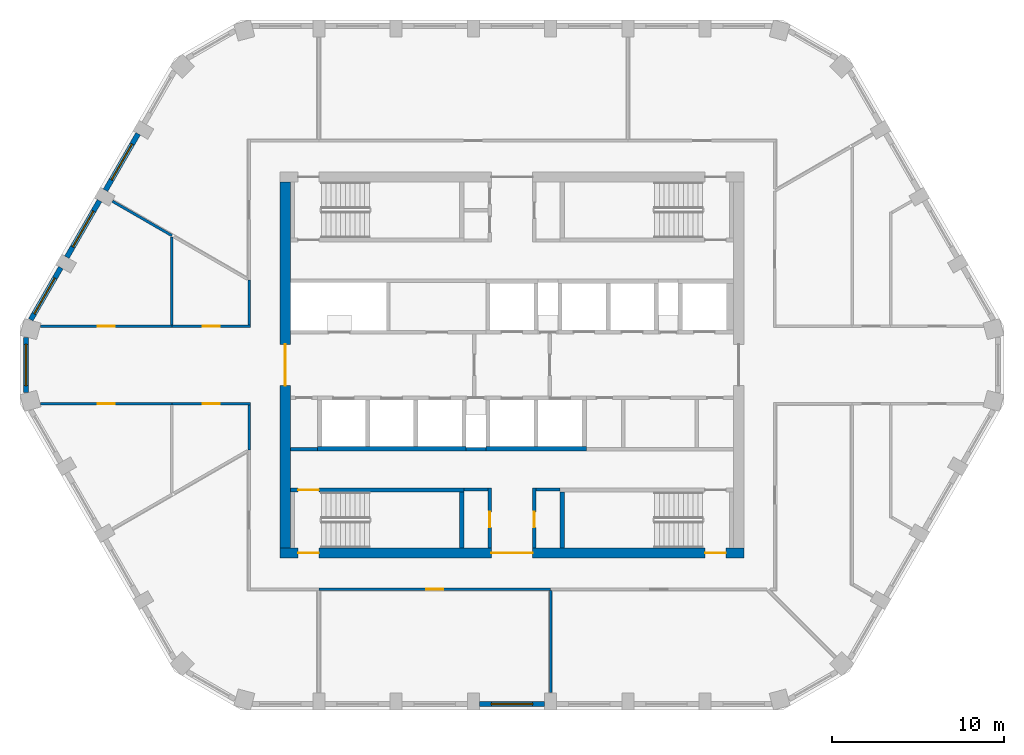
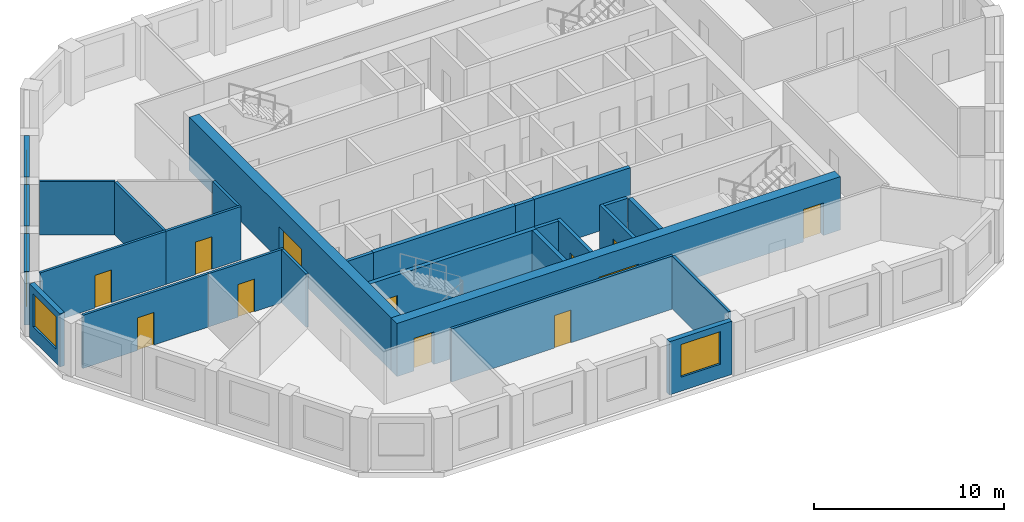
# One storey, part 2 of 11: 28 walls, 12 doors, 5 windows, 17 openings.
"""IFC4 building model written with IfcOpenShell, lengths in metres."""

from ifc_helpers import new_model, si_unit, direction, frame, frame_2d, origin, place, context, subcontext, project, spatial, polyline, rectangle, outline, extrude, material, layer, layer_set, type_object, element, fill, save


model = new_model("IFC4")

# Units and contexts
model_context = context("Model", 3, precision=1e-05, world=origin(), true_north=direction((0.0, 1.0)))
body_context = subcontext(model_context, "Body", "Model", "MODEL_VIEW")
ifc_project = project(units=[si_unit("LENGTHUNIT", "METRE"), si_unit("AREAUNIT", "SQUARE_METRE"), si_unit("VOLUMEUNIT", "CUBIC_METRE"), si_unit("PLANEANGLEUNIT", "RADIAN"), si_unit("MASSUNIT", "GRAM", prefix="KILO")], contexts=[model_context])

# Site, building, storey
site_placement = place(None, origin())
site = spatial("IfcSite", under=ifc_project, at=site_placement, CompositionType="ELEMENT")
building_placement = place(site_placement, origin())
building = spatial("IfcBuilding", under=site, at=building_placement, Name="Dhurran Vertical Campus", CompositionType="ELEMENT")
storey_placement = place(building_placement, frame((0.0, 0.0, 278.10009765625)))
storey = spatial("IfcBuildingStorey", under=building, at=storey_placement, Name="L69", CompositionType="ELEMENT", Elevation=278.10009765625)

# Wall, opening, window
ifc_material_1 = material(Name="Precast concrete C50/60", Category="concrete")
ifc_layer_1 = layer(ifc_material_1, 0.300048828125)
ifc_layer_set_1 = layer_set([ifc_layer_1], Name="Precast concrete C50/60")
wall_type_1 = type_object("IfcWallType", Name="Precast spandrel wall 300", PredefinedType="SOLIDWALL", material=ifc_layer_set_1)
wall_1_placement = place(storey_placement, frame((-1.8994140625, -19.738525390625, 0.0), z_axis=(0.0, 0.0, 1.0), x_axis=(1.0, 0.0, 0.0)))
wall_1 = element("IfcWall", 1, at=wall_1_placement, inside=storey, type_object=wall_type_1, Name="EW1 L69.03", PredefinedType="SOLIDWALL", context=body_context, shape_type="SweptSolid", body=[
    extrude(rectangle(XDim=3.798828125, YDim=0.300048828125, at=frame_2d((1.8994140625, 0.0))), origin(), (0.0, 0.0, 1.0), 3.4248046875),
])
opening_1_placement = place(wall_1_placement, frame((0.699462890625, 0.0, 0.89990234375)))
opening_1 = element("IfcOpeningElement", 2, at=opening_1_placement, cuts=wall_1, Name="Opening WT1", PredefinedType="OPENING", context=body_context, shape_type="SweptSolid", body=[
    extrude(rectangle(XDim=2.39990234375, YDim=2.10009765625, at=frame_2d((1.199951171875, 1.050048828125))), frame((0.0, 0.159912109375, 0.0), z_axis=(0.0, -1.0, 0.0), x_axis=(1.0, 0.0, 0.0)), (0.0, 0.0, 1.0), 0.320068359375),
])
ifc_material_2 = material(Name="Aluminium frame with solar-control glass", Category="aluminium")
window_type = type_object("IfcWindowType", Name="Punched window 2400 x 2100", PartitioningType="SINGLE_PANEL", PredefinedType="WINDOW", material=ifc_material_2)
window_1_placement = place(opening_1_placement, origin())
window_1 = element("IfcWindow", 3, at=window_1_placement, inside=storey, type_object=window_type, Name="WT1 L69.03", OverallHeight=2.10009765625, OverallWidth=2.39990234375, PartitioningType="SINGLE_PANEL", PredefinedType="WINDOW", context=body_context, shape_type="SweptSolid", body=[
    extrude(rectangle(XDim=2.39990234375, YDim=2.10009765625, at=frame_2d((1.199951171875, 1.050048828125))), frame((0.0, 0.030029296875, 0.0), z_axis=(0.0, -1.0, 0.0), x_axis=(1.0, 0.0, 0.0)), (0.0, 0.0, 1.0), 0.06005859375),
])
fill(opening_1, window_1)

wall_2_placement = place(storey_placement, frame((-21.769287109375, 13.462890625, 0.0), z_axis=(0.0, 0.0, 1.0), x_axis=(-0.499982058975, -0.866035761792, 0.0)))
wall_2 = element("IfcWall", 4, at=wall_2_placement, inside=storey, type_object=wall_type_1, Name="EW1 L69.27", PredefinedType="SOLIDWALL", context=body_context, shape_type="SweptSolid", body=[
    extrude(rectangle(XDim=3.799072265625, YDim=0.300048828125, at=frame_2d((1.8994140625, 0.0))), origin(), (0.0, 0.0, 1.0), 3.4248046875),
])
opening_2_placement = place(wall_2_placement, frame((0.699462890625, 0.0, 0.89990234375)))
opening_2 = element("IfcOpeningElement", 5, at=opening_2_placement, cuts=wall_2, Name="Opening WT1", PredefinedType="OPENING", context=body_context, shape_type="SweptSolid", body=[
    extrude(rectangle(XDim=2.39990234375, YDim=2.10009765625, at=frame_2d((1.199951171875, 1.050048828125))), frame((0.0, 0.159912109375, 0.0), z_axis=(0.0, -1.0, 0.0), x_axis=(1.0, 0.0, 0.0)), (0.0, 0.0, 1.0), 0.320068359375),
])
window_2_placement = place(opening_2_placement, origin())
window_2 = element("IfcWindow", 6, at=window_2_placement, inside=storey, type_object=window_type, Name="WT1 L69.27", OverallHeight=2.10009765625, OverallWidth=2.39990234375, PartitioningType="SINGLE_PANEL", PredefinedType="WINDOW", context=body_context, shape_type="SweptSolid", body=[
    extrude(rectangle(XDim=2.39990234375, YDim=2.10009765625, at=frame_2d((1.199951171875, 1.050048828125))), frame((0.0, 0.030029296875, 0.0), z_axis=(0.0, -1.0, 0.0), x_axis=(1.0, 0.0, 0.0)), (0.0, 0.0, 1.0), 0.06005859375),
])
fill(opening_2, window_2)

wall_3_placement = place(storey_placement, frame((-24.019287109375, 9.565673828125, 0.0), z_axis=(0.0, 0.0, 1.0), x_axis=(-0.499982058975, -0.866035761792, 0.0)))
wall_3 = element("IfcWall", 7, at=wall_3_placement, inside=storey, type_object=wall_type_1, Name="EW1 L69.28", PredefinedType="SOLIDWALL", context=body_context, shape_type="SweptSolid", body=[
    extrude(rectangle(XDim=3.799072265625, YDim=0.300048828125, at=frame_2d((1.8994140625, 0.0))), origin(), (0.0, 0.0, 1.0), 3.4248046875),
])
opening_3_placement = place(wall_3_placement, frame((0.699462890625, 0.0, 0.89990234375)))
opening_3 = element("IfcOpeningElement", 8, at=opening_3_placement, cuts=wall_3, Name="Opening WT1", PredefinedType="OPENING", context=body_context, shape_type="SweptSolid", body=[
    extrude(rectangle(XDim=2.39990234375, YDim=2.10009765625, at=frame_2d((1.199951171875, 1.050048828125))), frame((0.0, 0.159912109375, 0.0), z_axis=(0.0, -1.0, 0.0), x_axis=(1.0, 0.0, 0.0)), (0.0, 0.0, 1.0), 0.320068359375),
])
window_3_placement = place(opening_3_placement, origin())
window_3 = element("IfcWindow", 9, at=window_3_placement, inside=storey, type_object=window_type, Name="WT1 L69.28", OverallHeight=2.10009765625, OverallWidth=2.39990234375, PartitioningType="SINGLE_PANEL", PredefinedType="WINDOW", context=body_context, shape_type="SweptSolid", body=[
    extrude(rectangle(XDim=2.39990234375, YDim=2.10009765625, at=frame_2d((1.199951171875, 1.050048828125))), frame((0.0, 0.030029296875, 0.0), z_axis=(0.0, -1.0, 0.0), x_axis=(1.0, 0.0, 0.0)), (0.0, 0.0, 1.0), 0.06005859375),
])
fill(opening_3, window_3)

wall_4_placement = place(storey_placement, frame((-26.269287109375, 5.668701171875, 0.0), z_axis=(0.0, 0.0, 1.0), x_axis=(-0.499990325971, -0.866030989016, 0.0)))
wall_4 = element("IfcWall", 10, at=wall_4_placement, inside=storey, type_object=wall_type_1, Name="EW1 L69.29", PredefinedType="SOLIDWALL", context=body_context, shape_type="SweptSolid", body=[
    extrude(rectangle(XDim=3.49755859375, YDim=0.300048828125, at=frame_2d((1.748779296875, 0.0))), origin(), (0.0, 0.0, 1.0), 3.4248046875),
])
opening_4_placement = place(wall_4_placement, frame((0.699462890625, 0.0, 0.89990234375)))
opening_4 = element("IfcOpeningElement", 11, at=opening_4_placement, cuts=wall_4, Name="Opening WT1", PredefinedType="OPENING", context=body_context, shape_type="SweptSolid", body=[
    extrude(rectangle(XDim=2.39990234375, YDim=2.10009765625, at=frame_2d((1.199951171875, 1.050048828125))), frame((0.0, 0.159912109375, 0.0), z_axis=(0.0, -1.0, 0.0), x_axis=(1.0, 0.0, 0.0)), (0.0, 0.0, 1.0), 0.320068359375),
])
window_4_placement = place(opening_4_placement, origin())
window_4 = element("IfcWindow", 12, at=window_4_placement, inside=storey, type_object=window_type, Name="WT1 L69.29", OverallHeight=2.10009765625, OverallWidth=2.39990234375, PartitioningType="SINGLE_PANEL", PredefinedType="WINDOW", context=body_context, shape_type="SweptSolid", body=[
    extrude(rectangle(XDim=2.39990234375, YDim=2.10009765625, at=frame_2d((1.199951171875, 1.050048828125))), frame((0.0, 0.030029296875, 0.0), z_axis=(0.0, -1.0, 0.0), x_axis=(1.0, 0.0, 0.0)), (0.0, 0.0, 1.0), 0.06005859375),
])
fill(opening_4, window_4)

wall_5_placement = place(storey_placement, frame((-28.297119140625, 1.59814453125, 0.0), z_axis=(0.0, 0.0, 1.0), x_axis=(0.0, -1.0, 0.0)))
wall_5 = element("IfcWall", 13, at=wall_5_placement, inside=storey, type_object=wall_type_1, Name="EW1 L69.30", PredefinedType="SOLIDWALL", context=body_context, shape_type="SweptSolid", body=[
    extrude(rectangle(XDim=3.1962890625, YDim=0.300048828125, at=frame_2d((1.59814453125, 0.0))), origin(), (0.0, 0.0, 1.0), 3.4248046875),
])
opening_5_placement = place(wall_5_placement, frame((0.398193359375, 0.0, 0.89990234375)))
opening_5 = element("IfcOpeningElement", 14, at=opening_5_placement, cuts=wall_5, Name="Opening WT1", PredefinedType="OPENING", context=body_context, shape_type="SweptSolid", body=[
    extrude(rectangle(XDim=2.39990234375, YDim=2.10009765625, at=frame_2d((1.199951171875, 1.050048828125))), frame((0.0, 0.159912109375, 0.0), z_axis=(0.0, -1.0, 0.0), x_axis=(1.0, 0.0, 0.0)), (0.0, 0.0, 1.0), 0.320068359375),
])
window_5_placement = place(opening_5_placement, origin())
window_5 = element("IfcWindow", 15, at=window_5_placement, inside=storey, type_object=window_type, Name="WT1 L69.30", OverallHeight=2.10009765625, OverallWidth=2.39990234375, PartitioningType="SINGLE_PANEL", PredefinedType="WINDOW", context=body_context, shape_type="SweptSolid", body=[
    extrude(rectangle(XDim=2.39990234375, YDim=2.10009765625, at=frame_2d((1.199951171875, 1.050048828125))), frame((0.0, 0.030029296875, 0.0), z_axis=(0.0, -1.0, 0.0), x_axis=(1.0, 0.0, 0.0)), (0.0, 0.0, 1.0), 0.06005859375),
])
fill(opening_5, window_5)

# Wall, openings, doors
ifc_material_3 = material(Name="Concrete C50/60", Category="concrete")
ifc_layer_2 = layer(ifc_material_3, 0.60009765625)
ifc_layer_set_2 = layer_set([ifc_layer_2], Name="Concrete C50/60")
wall_type_2 = type_object("IfcWallType", Name="co-CORE-WALL-C2-600", PredefinedType="SHEAR", material=ifc_layer_set_2)
wall_6_placement = place(storey_placement, frame((-13.5, -10.949951171875, 0.0), z_axis=(0.0, 0.0, 1.0), x_axis=(1.0, 0.0, 0.0)))
wall_6 = element("IfcWall", 16, at=wall_6_placement, inside=storey, type_object=wall_type_2, Name="Core wall S L69", PredefinedType="SHEAR", context=body_context, shape_type="SweptSolid", body=[
    extrude(rectangle(XDim=27.0, YDim=0.60009765625, at=frame_2d((13.5, 0.0))), origin(), (0.0, 0.0, 1.0), 3.4248046875),
])
opening_6_placement = place(wall_6_placement, frame((12.300048828125, 0.0, 0.0)))
opening_6 = element("IfcOpeningElement", 17, at=opening_6_placement, cuts=wall_6, Name="Opening CV2", PredefinedType="OPENING", context=body_context, shape_type="SweptSolid", body=[
    extrude(rectangle(XDim=2.39990234375, YDim=2.10009765625, at=frame_2d((1.199951171875, 1.050048828125))), frame((0.0, 0.31005859375, 0.0), z_axis=(0.0, -1.0, 0.0), x_axis=(1.0, 0.0, 0.0)), (0.0, 0.0, 1.0), 0.6201171875),
])
opening_7_placement = place(wall_6_placement, frame((1.050048828125, 0.0, 0.0)))
opening_7 = element("IfcOpeningElement", 18, at=opening_7_placement, cuts=wall_6, Name="Opening XD3", PredefinedType="OPENING", context=body_context, shape_type="SweptSolid", body=[
    extrude(rectangle(XDim=1.199951171875, YDim=2.10009765625, at=frame_2d((0.60009765625, 1.050048828125))), frame((0.0, 0.31005859375, 0.0), z_axis=(0.0, -1.0, 0.0), x_axis=(1.0, 0.0, 0.0)), (0.0, 0.0, 1.0), 0.6201171875),
])
opening_8_placement = place(wall_6_placement, frame((24.75, 0.0, 0.0)))
opening_8 = element("IfcOpeningElement", 19, at=opening_8_placement, cuts=wall_6, Name="Opening XD4", PredefinedType="OPENING", context=body_context, shape_type="SweptSolid", body=[
    extrude(rectangle(XDim=1.199951171875, YDim=2.10009765625, at=frame_2d((0.60009765625, 1.050048828125))), frame((0.0, 0.31005859375, 0.0), z_axis=(0.0, -1.0, 0.0), x_axis=(1.0, 0.0, 0.0)), (0.0, 0.0, 1.0), 0.6201171875),
])
ifc_material_4 = material(Name="Fire-rated glazed door set")
door_type_1 = type_object("IfcDoorType", Name="co-D-LOBBY 2400x2100", OperationType="DOUBLE_DOOR_DOUBLE_SWING", PredefinedType="DOOR", material=ifc_material_4)
door_1_placement = place(opening_6_placement, origin())
door_1 = element("IfcDoor", 20, at=door_1_placement, inside=storey, type_object=door_type_1, Name="Core vestibule door S L69", OperationType="DOUBLE_DOOR_DOUBLE_SWING", OverallHeight=2.10009765625, OverallWidth=2.39990234375, PredefinedType="DOOR", context=body_context, shape_type="SweptSolid", body=[
    extrude(rectangle(XDim=2.39990234375, YDim=2.10009765625, at=frame_2d((1.199951171875, 1.050048828125))), frame((0.0, 0.02490234375, 0.0), z_axis=(0.0, -1.0, 0.0), x_axis=(1.0, 0.0, 0.0)), (0.0, 0.0, 1.0), 0.050048828125),
])
fill(opening_6, door_1)
ifc_material_5 = material(Name="Fire-rated steel door set", Category="steel")
door_type_2 = type_object("IfcDoorType", Name="co-D-STAIR-EXIT 1200x2100", OperationType="SINGLE_SWING_RIGHT", PredefinedType="DOOR", material=ifc_material_5)
door_2_placement = place(opening_7_placement, origin())
door_2 = element("IfcDoor", 21, at=door_2_placement, inside=storey, type_object=door_type_2, Name="Stair ST3 exit door L69", OperationType="SINGLE_SWING_RIGHT", OverallHeight=2.10009765625, OverallWidth=1.199951171875, PredefinedType="DOOR", context=body_context, shape_type="SweptSolid", body=[
    extrude(rectangle(XDim=1.199951171875, YDim=2.10009765625, at=frame_2d((0.60009765625, 1.050048828125))), frame((0.0, 0.02490234375, 0.0), z_axis=(0.0, -1.0, 0.0), x_axis=(1.0, 0.0, 0.0)), (0.0, 0.0, 1.0), 0.050048828125),
])
fill(opening_7, door_2)
door_3_placement = place(opening_8_placement, origin())
door_3 = element("IfcDoor", 22, at=door_3_placement, inside=storey, type_object=door_type_2, Name="Stair ST4 exit door L69", OperationType="SINGLE_SWING_RIGHT", OverallHeight=2.10009765625, OverallWidth=1.199951171875, PredefinedType="DOOR", context=body_context, shape_type="SweptSolid", body=[
    extrude(rectangle(XDim=1.199951171875, YDim=2.10009765625, at=frame_2d((0.60009765625, 1.050048828125))), frame((0.0, 0.02490234375, 0.0), z_axis=(0.0, -1.0, 0.0), x_axis=(1.0, 0.0, 0.0)), (0.0, 0.0, 1.0), 0.050048828125),
])
fill(opening_8, door_3)

# Wall, opening, door
wall_7_placement = place(storey_placement, frame((-13.199951171875, -10.64990234375, 0.0), z_axis=(0.0, 0.0, 1.0), x_axis=(0.0, 1.0, 0.0)))
wall_7 = element("IfcWall", 23, at=wall_7_placement, inside=storey, type_object=wall_type_2, Name="Core wall W L69", PredefinedType="SHEAR", context=body_context, shape_type="SweptSolid", body=[
    extrude(rectangle(XDim=21.2998046875, YDim=0.60009765625, at=frame_2d((10.64990234375, 0.0))), origin(), (0.0, 0.0, 1.0), 3.4248046875),
])
opening_9_placement = place(wall_7_placement, frame((9.449951171875, 0.0, 0.0)))
opening_9 = element("IfcOpeningElement", 24, at=opening_9_placement, cuts=wall_7, Name="Opening CL1", PredefinedType="OPENING", context=body_context, shape_type="SweptSolid", body=[
    extrude(rectangle(XDim=2.39990234375, YDim=2.10009765625, at=frame_2d((1.199951171875, 1.050048828125))), frame((0.0, 0.31005859375, 0.0), z_axis=(0.0, -1.0, 0.0), x_axis=(1.0, 0.0, 0.0)), (0.0, 0.0, 1.0), 0.6201171875),
])
door_4_placement = place(opening_9_placement, origin())
door_4 = element("IfcDoor", 25, at=door_4_placement, inside=storey, type_object=door_type_1, Name="Lift lobby door W L69", OperationType="DOUBLE_DOOR_DOUBLE_SWING", OverallHeight=2.10009765625, OverallWidth=2.39990234375, PredefinedType="DOOR", context=body_context, shape_type="SweptSolid", body=[
    extrude(rectangle(XDim=2.39990234375, YDim=2.10009765625, at=frame_2d((1.199951171875, 1.050048828125))), frame((0.0, 0.02490234375, 0.0), z_axis=(0.0, -1.0, 0.0), x_axis=(1.0, 0.0, 0.0)), (0.0, 0.0, 1.0), 0.050048828125),
])
fill(opening_9, door_4)

# Walls
ifc_material_6 = material(Name="Fire-rated masonry blockwork", Category="masonry")
ifc_layer_3 = layer(ifc_material_6, 0.199951171875)
ifc_layer_set_3 = layer_set([ifc_layer_3], Name="Fire-rated masonry blockwork")
wall_type_3 = type_object("IfcWallType", Name="co-FIRE-PARTITION-200", PredefinedType="PARTITIONING", material=ifc_layer_set_3)
for number, where, z_axis, x_axis, name in (
    (26, (-2.800048828125, -7.25, 0.0), (0.0, 0.0, 1.0), (1.0, 0.0, 0.0), "Core partition sl-SW-S L69"),
    (27, (1.39990234375, -7.25, 0.0), (0.0, 0.0, 1.0), (1.0, 0.0, 0.0), "Core partition sl-SE-S L69"),
):
    element("IfcWall", number, at=place(storey_placement, frame(where, z_axis=z_axis, x_axis=x_axis)), inside=storey, type_object=wall_type_3, Name=name, PredefinedType="PARTITIONING", context=body_context, shape_type="SweptSolid", body=[
        extrude(rectangle(XDim=1.400146484375, YDim=0.199951171875, at=frame_2d((0.7001953125, 0.0))), origin(), (0.0, 0.0, 1.0), 3.4248046875),
    ])

# Wall, opening, door
wall_8_placement = place(storey_placement, frame((-1.300048828125, -10.64990234375, 0.0), z_axis=(0.0, 0.0, 1.0), x_axis=(0.0, 1.0, 0.0)))
wall_8 = element("IfcWall", 28, at=wall_8_placement, inside=storey, type_object=wall_type_3, Name="Core partition vest-SW L69", PredefinedType="PARTITIONING", context=body_context, shape_type="SweptSolid", body=[
    extrude(rectangle(XDim=3.5, YDim=0.199951171875, at=frame_2d((1.75, 0.0))), origin(), (0.0, 0.0, 1.0), 3.4248046875),
])
opening_10_placement = place(wall_8_placement, frame((1.199951171875, 0.0, 0.0)))
opening_10 = element("IfcOpeningElement", 29, at=opening_10_placement, cuts=wall_8, Name="Opening T20-C1", PredefinedType="OPENING", context=body_context, shape_type="SweptSolid", body=[
    extrude(rectangle(XDim=0.89990234375, YDim=2.10009765625, at=frame_2d((0.449951171875, 1.050048828125))), frame((0.0, 0.10986328125, 0.0), z_axis=(0.0, -1.0, 0.0), x_axis=(1.0, 0.0, 0.0)), (0.0, 0.0, 1.0), 0.219970703125),
])
ifc_material_7 = material(Name="Fire-rated timber door set", Category="wood")
door_type_3 = type_object("IfcDoorType", Name="co-D-ROOM 900x2100", OperationType="SINGLE_SWING_LEFT", PredefinedType="DOOR", material=ifc_material_7)
door_5_placement = place(opening_10_placement, origin())
door_5 = element("IfcDoor", 30, at=door_5_placement, inside=storey, type_object=door_type_3, Name="Server room door L69", OperationType="SINGLE_SWING_LEFT", OverallHeight=2.10009765625, OverallWidth=0.89990234375, PredefinedType="DOOR", context=body_context, shape_type="SweptSolid", body=[
    extrude(rectangle(XDim=0.89990234375, YDim=2.10009765625, at=frame_2d((0.449951171875, 1.050048828125))), frame((0.0, 0.02490234375, 0.0), z_axis=(0.0, -1.0, 0.0), x_axis=(1.0, 0.0, 0.0)), (0.0, 0.0, 1.0), 0.050048828125),
])
fill(opening_10, door_5)

wall_9_placement = place(storey_placement, frame((1.300048828125, -10.64990234375, 0.0), z_axis=(0.0, 0.0, 1.0), x_axis=(0.0, 1.0, 0.0)))
wall_9 = element("IfcWall", 31, at=wall_9_placement, inside=storey, type_object=wall_type_3, Name="Core partition vest-SE L69", PredefinedType="PARTITIONING", context=body_context, shape_type="SweptSolid", body=[
    extrude(rectangle(XDim=3.5, YDim=0.199951171875, at=frame_2d((1.75, 0.0))), origin(), (0.0, 0.0, 1.0), 3.4248046875),
])
opening_11_placement = place(wall_9_placement, frame((1.199951171875, 0.0, 0.0)))
opening_11 = element("IfcOpeningElement", 32, at=opening_11_placement, cuts=wall_9, Name="Opening T20-C2", PredefinedType="OPENING", context=body_context, shape_type="SweptSolid", body=[
    extrude(rectangle(XDim=0.89990234375, YDim=2.10009765625, at=frame_2d((0.449951171875, 1.050048828125))), frame((0.0, 0.10986328125, 0.0), z_axis=(0.0, -1.0, 0.0), x_axis=(1.0, 0.0, 0.0)), (0.0, 0.0, 1.0), 0.219970703125),
])
door_6_placement = place(opening_11_placement, origin())
door_6 = element("IfcDoor", 33, at=door_6_placement, inside=storey, type_object=door_type_3, Name="Housekeeping store door L69", OperationType="SINGLE_SWING_LEFT", OverallHeight=2.10009765625, OverallWidth=0.89990234375, PredefinedType="DOOR", context=body_context, shape_type="SweptSolid", body=[
    extrude(rectangle(XDim=0.89990234375, YDim=2.10009765625, at=frame_2d((0.449951171875, 1.050048828125))), frame((0.0, 0.02490234375, 0.0), z_axis=(0.0, -1.0, 0.0), x_axis=(1.0, 0.0, 0.0)), (0.0, 0.0, 1.0), 0.050048828125),
])
fill(opening_11, door_6)

# Walls
wall_10_placement = place(storey_placement, frame((-12.89990234375, -4.89990234375, 0.0), z_axis=(0.0, 0.0, 1.0), x_axis=(1.0, 0.0, 0.0)))
element("IfcWall", 34, at=wall_10_placement, inside=storey, type_object=wall_type_3, Name="Core partition fr-S0-b L69", PredefinedType="PARTITIONING", context=body_context, shape_type="SweptSolid", body=[
    extrude(rectangle(XDim=1.574951171875, YDim=0.199951171875, at=frame_2d((0.78759765625, 0.0))), origin(), (0.0, 0.0, 1.0), 3.4248046875),
])
wall_11_placement = place(storey_placement, frame((-2.675048828125, -4.89990234375, 0.0), z_axis=(0.0, 0.0, 1.0), x_axis=(1.0, 0.0, 0.0)))
element("IfcWall", 35, at=wall_11_placement, inside=storey, type_object=wall_type_3, Name="Core partition fr-S1-b L69", PredefinedType="PARTITIONING", context=body_context, shape_type="SweptSolid", body=[
    extrude(rectangle(XDim=1.150146484375, YDim=0.199951171875, at=frame_2d((0.5751953125, 0.0))), origin(), (0.0, 0.0, 1.0), 3.4248046875),
])
ifc_material_8 = material(Name="Concrete C50/60", Category="concrete")
ifc_layer_4 = layer(ifc_material_8, 0.25)
ifc_layer_set_4 = layer_set([ifc_layer_4], Name="Concrete C50/60")
wall_type_4 = type_object("IfcWallType", Name="co-SHAFT-MASS-250", PredefinedType="SHEAR", material=ifc_layer_set_4)
wall_12_placement = place(storey_placement, origin())
element("IfcWall", 36, at=wall_12_placement, inside=storey, type_object=wall_type_4, Name="Lift shaft wall S L69 1", PredefinedType="SHEAR", context=body_context, shape_type="SweptSolid", body=[
    extrude(outline(polyline([(-11.324951171875, -5.0), (-2.675048828125, -5.0), (-2.675048828125, -4.75), (-11.324951171875, -4.75), (-11.324951171875, -5.0)])), origin(), (0.0, 0.0, 1.0), 3.4248046875),
])
wall_13_placement = place(storey_placement, origin())
element("IfcWall", 37, at=wall_13_placement, inside=storey, type_object=wall_type_4, Name="Lift shaft wall S L69 2", PredefinedType="SHEAR", context=body_context, shape_type="SweptSolid", body=[
    extrude(outline(polyline([(-1.52490234375, -5.0), (4.324951171875, -5.0), (4.324951171875, -4.75), (-1.52490234375, -4.75), (-1.52490234375, -5.0)])), origin(), (0.0, 0.0, 1.0), 3.4248046875),
])

# Wall, opening, door
ifc_material_9 = material(Name="Concrete C40/50", Category="concrete")
ifc_layer_5 = layer(ifc_material_9, 0.25)
ifc_layer_set_5 = layer_set([ifc_layer_5], Name="Concrete C40/50")
wall_type_5 = type_object("IfcWallType", Name="co-STAIR-WALL-250", PredefinedType="SHEAR", material=ifc_layer_set_5)
wall_14_placement = place(storey_placement, frame((-12.89990234375, -7.27490234375, 0.0), z_axis=(0.0, 0.0, 1.0), x_axis=(1.0, 0.0, 0.0)))
wall_14 = element("IfcWall", 38, at=wall_14_placement, inside=storey, type_object=wall_type_5, Name="Stair ST3 enclosure wall L69", PredefinedType="SHEAR", context=body_context, shape_type="SweptSolid", body=[
    extrude(rectangle(XDim=10.099853515625, YDim=0.25, at=frame_2d((5.0498046875, 0.0))), origin(), (0.0, 0.0, 1.0), 3.4248046875),
])
opening_12_placement = place(wall_14_placement, frame((0.449951171875, 0.0, 0.0)))
opening_12 = element("IfcOpeningElement", 39, at=opening_12_placement, cuts=wall_14, Name="Opening SD3", PredefinedType="OPENING", context=body_context, shape_type="SweptSolid", body=[
    extrude(rectangle(XDim=1.199951171875, YDim=2.10009765625, at=frame_2d((0.60009765625, 1.050048828125))), frame((0.0, 0.135009765625, 0.0), z_axis=(0.0, -1.0, 0.0), x_axis=(1.0, 0.0, 0.0)), (0.0, 0.0, 1.0), 0.27001953125),
])
ifc_material_10 = material(Name="Fire-rated steel door set", Category="steel")
door_type_4 = type_object("IfcDoorType", Name="co-D-STAIR 1200x2100", OperationType="SINGLE_SWING_LEFT", PredefinedType="DOOR", material=ifc_material_10)
door_7_placement = place(opening_12_placement, origin())
door_7 = element("IfcDoor", 40, at=door_7_placement, inside=storey, type_object=door_type_4, Name="Stair ST3 door L69", OperationType="SINGLE_SWING_LEFT", OverallHeight=2.10009765625, OverallWidth=1.199951171875, PredefinedType="DOOR", context=body_context, shape_type="SweptSolid", body=[
    extrude(rectangle(XDim=1.199951171875, YDim=2.10009765625, at=frame_2d((0.60009765625, 1.050048828125))), frame((0.0, 0.02490234375, 0.0), z_axis=(0.0, -1.0, 0.0), x_axis=(1.0, 0.0, 0.0)), (0.0, 0.0, 1.0), 0.050048828125),
])
fill(opening_12, door_7)

# Walls
for number, where, z_axis, x_axis, name in (
    (41, (-2.925048828125, -10.64990234375, 0.0), (0.0, 0.0, 1.0), (0.0, 1.0, 0.0), "Stair ST3 enclosure wall L69"),
    (42, (2.925048828125, -10.64990234375, 0.0), (0.0, 0.0, 1.0), (0.0, 1.0, 0.0), "Stair ST4 enclosure wall L69"),
):
    element("IfcWall", number, at=place(storey_placement, frame(where, z_axis=z_axis, x_axis=x_axis)), inside=storey, type_object=wall_type_5, Name=name, PredefinedType="SHEAR", context=body_context, shape_type="SweptSolid", body=[
        extrude(rectangle(XDim=3.25, YDim=0.25, at=frame_2d((1.625, 0.0))), origin(), (0.0, 0.0, 1.0), 3.4248046875),
    ])

# Wall, opening, door
ifc_material_11 = material(Name="Gypsum board corridor wall on steel studs", Category="steel")
ifc_layer_6 = layer(ifc_material_11, 0.14990234375)
ifc_layer_set_6 = layer_set([ifc_layer_6], Name="Gypsum board corridor wall on steel studs")
wall_type_6 = type_object("IfcWallType", Name="fl-CW-150 corridor wall", PredefinedType="PARTITIONING", material=ifc_layer_set_6)
wall_15_placement = place(storey_placement, frame((-19.800048828125, -2.25, 0.0), z_axis=(0.0, 0.0, 1.0), x_axis=(-1.0, 0.0, 0.0)))
wall_15 = element("IfcWall", 43, at=wall_15_placement, inside=storey, type_object=wall_type_6, Name="Partition 69-01", PredefinedType="PARTITIONING", context=body_context, shape_type="SweptSolid", body=[
    extrude(rectangle(XDim=7.65234375, YDim=0.14990234375, at=frame_2d((3.826171875, 0.0))), origin(), (0.0, 0.0, 1.0), 3.4248046875),
])
opening_13_placement = place(wall_15_placement, frame((3.326171875, 0.0, 0.0)))
opening_13 = element("IfcOpeningElement", 44, at=opening_13_placement, cuts=wall_15, Name="Opening T20.01", PredefinedType="OPENING", context=body_context, shape_type="SweptSolid", body=[
    extrude(rectangle(XDim=1.0, YDim=2.10009765625, at=frame_2d((0.5, 1.050048828125))), frame((0.0, 0.0849609375, 0.0), z_axis=(0.0, -1.0, 0.0), x_axis=(1.0, 0.0, 0.0)), (0.0, 0.0, 1.0), 0.169921875),
])
ifc_material_12 = material(Name="Solid-core timber door set, fire-rated", Category="wood")
door_type_5 = type_object("IfcDoorType", Name="fl-D-1000x2100", OperationType="SINGLE_SWING_LEFT", PredefinedType="DOOR", material=ifc_material_12)
door_8_placement = place(opening_13_placement, origin())
door_8 = element("IfcDoor", 45, at=door_8_placement, inside=storey, type_object=door_type_5, Name="Door 69.01", OperationType="SINGLE_SWING_RIGHT", OverallHeight=2.10009765625, OverallWidth=1.0, PredefinedType="DOOR", context=body_context, shape_type="SweptSolid", body=[
    extrude(rectangle(XDim=1.0, YDim=2.10009765625, at=frame_2d((0.5, 1.050048828125))), frame((0.0, 0.02490234375, 0.0), z_axis=(0.0, -1.0, 0.0), x_axis=(1.0, 0.0, 0.0)), (0.0, 0.0, 1.0), 0.050048828125),
])
fill(opening_13, door_8)

wall_16_placement = place(storey_placement, frame((-27.452392578125, 2.25, 0.0), z_axis=(0.0, 0.0, 1.0), x_axis=(1.0, 0.0, 0.0)))
wall_16 = element("IfcWall", 46, at=wall_16_placement, inside=storey, type_object=wall_type_6, Name="Partition 69-02", PredefinedType="PARTITIONING", context=body_context, shape_type="SweptSolid", body=[
    extrude(rectangle(XDim=7.65234375, YDim=0.14990234375, at=frame_2d((3.826171875, 0.0))), origin(), (0.0, 0.0, 1.0), 3.4248046875),
])
opening_14_placement = place(wall_16_placement, frame((3.326171875, 0.0, 0.0)))
opening_14 = element("IfcOpeningElement", 47, at=opening_14_placement, cuts=wall_16, Name="Opening T20.02", PredefinedType="OPENING", context=body_context, shape_type="SweptSolid", body=[
    extrude(rectangle(XDim=1.0, YDim=2.10009765625, at=frame_2d((0.5, 1.050048828125))), frame((0.0, 0.0849609375, 0.0), z_axis=(0.0, -1.0, 0.0), x_axis=(1.0, 0.0, 0.0)), (0.0, 0.0, 1.0), 0.169921875),
])
door_9_placement = place(opening_14_placement, origin())
door_9 = element("IfcDoor", 48, at=door_9_placement, inside=storey, type_object=door_type_5, Name="Door 69.02", OperationType="SINGLE_SWING_LEFT", OverallHeight=2.10009765625, OverallWidth=1.0, PredefinedType="DOOR", context=body_context, shape_type="SweptSolid", body=[
    extrude(rectangle(XDim=1.0, YDim=2.10009765625, at=frame_2d((0.5, 1.050048828125))), frame((0.0, 0.02490234375, 0.0), z_axis=(0.0, -1.0, 0.0), x_axis=(1.0, 0.0, 0.0)), (0.0, 0.0, 1.0), 0.050048828125),
])
fill(opening_14, door_9)

wall_17_placement = place(storey_placement, frame((-15.22509765625, -2.25, 0.0), z_axis=(0.0, 0.0, 1.0), x_axis=(-1.0, 0.0, 0.0)))
wall_17 = element("IfcWall", 49, at=wall_17_placement, inside=storey, type_object=wall_type_6, Name="Partition 69-07", PredefinedType="PARTITIONING", context=body_context, shape_type="SweptSolid", body=[
    extrude(rectangle(XDim=4.574951171875, YDim=0.14990234375, at=frame_2d((2.28759765625, 0.0))), origin(), (0.0, 0.0, 1.0), 3.4248046875),
])
opening_15_placement = place(wall_17_placement, frame((1.78759765625, 0.0, 0.0)))
opening_15 = element("IfcOpeningElement", 50, at=opening_15_placement, cuts=wall_17, Name="Opening T20.03", PredefinedType="OPENING", context=body_context, shape_type="SweptSolid", body=[
    extrude(rectangle(XDim=1.0, YDim=2.10009765625, at=frame_2d((0.5, 1.050048828125))), frame((0.0, 0.0849609375, 0.0), z_axis=(0.0, -1.0, 0.0), x_axis=(1.0, 0.0, 0.0)), (0.0, 0.0, 1.0), 0.169921875),
])
door_10_placement = place(opening_15_placement, origin())
door_10 = element("IfcDoor", 51, at=door_10_placement, inside=storey, type_object=door_type_5, Name="Door 69.03", OperationType="SINGLE_SWING_RIGHT", OverallHeight=2.10009765625, OverallWidth=1.0, PredefinedType="DOOR", context=body_context, shape_type="SweptSolid", body=[
    extrude(rectangle(XDim=1.0, YDim=2.10009765625, at=frame_2d((0.5, 1.050048828125))), frame((0.0, 0.02490234375, 0.0), z_axis=(0.0, -1.0, 0.0), x_axis=(1.0, 0.0, 0.0)), (0.0, 0.0, 1.0), 0.050048828125),
])
fill(opening_15, door_10)

wall_18_placement = place(storey_placement, frame((-19.800048828125, 2.25, 0.0), z_axis=(0.0, 0.0, 1.0), x_axis=(1.0, 0.0, 0.0)))
wall_18 = element("IfcWall", 52, at=wall_18_placement, inside=storey, type_object=wall_type_6, Name="Partition 69-09", PredefinedType="PARTITIONING", context=body_context, shape_type="SweptSolid", body=[
    extrude(rectangle(XDim=4.574951171875, YDim=0.14990234375, at=frame_2d((2.28759765625, 0.0))), origin(), (0.0, 0.0, 1.0), 3.4248046875),
])
opening_16_placement = place(wall_18_placement, frame((1.78759765625, 0.0, 0.0)))
opening_16 = element("IfcOpeningElement", 53, at=opening_16_placement, cuts=wall_18, Name="Opening T20.04", PredefinedType="OPENING", context=body_context, shape_type="SweptSolid", body=[
    extrude(rectangle(XDim=1.0, YDim=2.10009765625, at=frame_2d((0.5, 1.050048828125))), frame((0.0, 0.0849609375, 0.0), z_axis=(0.0, -1.0, 0.0), x_axis=(1.0, 0.0, 0.0)), (0.0, 0.0, 1.0), 0.169921875),
])
door_11_placement = place(opening_16_placement, origin())
door_11 = element("IfcDoor", 54, at=door_11_placement, inside=storey, type_object=door_type_5, Name="Door 69.04", OperationType="SINGLE_SWING_LEFT", OverallHeight=2.10009765625, OverallWidth=1.0, PredefinedType="DOOR", context=body_context, shape_type="SweptSolid", body=[
    extrude(rectangle(XDim=1.0, YDim=2.10009765625, at=frame_2d((0.5, 1.050048828125))), frame((0.0, 0.02490234375, 0.0), z_axis=(0.0, -1.0, 0.0), x_axis=(1.0, 0.0, 0.0)), (0.0, 0.0, 1.0), 0.050048828125),
])
fill(opening_16, door_11)

# Walls
for number, where, z_axis, x_axis, name in (
    (55, (-15.300048828125, -2.324951171875, 0.0), (0.0, 0.0, 1.0), (0.0, -1.0, 0.0), "Partition 69-13"),
    (56, (-15.300048828125, 4.93603515625, 0.0), (0.0, 0.0, 1.0), (0.0, -1.0, 0.0), "Partition 69-14"),
):
    element("IfcWall", number, at=place(storey_placement, frame(where, z_axis=z_axis, x_axis=x_axis)), inside=storey, type_object=wall_type_6, Name=name, PredefinedType="PARTITIONING", context=body_context, shape_type="SweptSolid", body=[
        extrude(rectangle(XDim=2.611083984375, YDim=0.14990234375, at=frame_2d((1.3056640625, 0.0))), origin(), (0.0, 0.0, 1.0), 3.4248046875),
    ])

# Wall, opening, door
wall_19_placement = place(storey_placement, frame((-11.25, -13.050048828125, 0.0), z_axis=(0.0, 0.0, 1.0), x_axis=(1.0, 0.0, 0.0)))
wall_19 = element("IfcWall", 57, at=wall_19_placement, inside=storey, type_object=wall_type_6, Name="Partition 69-18", PredefinedType="PARTITIONING", context=body_context, shape_type="SweptSolid", body=[
    extrude(rectangle(XDim=13.5, YDim=0.14990234375, at=frame_2d((6.75, 0.0))), origin(), (0.0, 0.0, 1.0), 3.4248046875),
])
opening_17_placement = place(wall_19_placement, frame((6.25, 0.0, 0.0)))
opening_17 = element("IfcOpeningElement", 58, at=opening_17_placement, cuts=wall_19, Name="Opening T20.07", PredefinedType="OPENING", context=body_context, shape_type="SweptSolid", body=[
    extrude(rectangle(XDim=1.0, YDim=2.10009765625, at=frame_2d((0.5, 1.050048828125))), frame((0.0, 0.0849609375, 0.0), z_axis=(0.0, -1.0, 0.0), x_axis=(1.0, 0.0, 0.0)), (0.0, 0.0, 1.0), 0.169921875),
])
door_12_placement = place(opening_17_placement, origin())
door_12 = element("IfcDoor", 59, at=door_12_placement, inside=storey, type_object=door_type_5, Name="Door 69.07", OperationType="SINGLE_SWING_LEFT", OverallHeight=2.10009765625, OverallWidth=1.0, PredefinedType="DOOR", context=body_context, shape_type="SweptSolid", body=[
    extrude(rectangle(XDim=1.0, YDim=2.10009765625, at=frame_2d((0.5, 1.050048828125))), frame((0.0, 0.02490234375, 0.0), z_axis=(0.0, -1.0, 0.0), x_axis=(1.0, 0.0, 0.0)), (0.0, 0.0, 1.0), 0.050048828125),
])
fill(opening_17, door_12)

# Walls
ifc_material_13 = material(Name="Gypsum board partition on steel studs", Category="steel")
ifc_layer_7 = layer(ifc_material_13, 0.14990234375)
ifc_layer_set_7 = layer_set([ifc_layer_7], Name="Gypsum board partition on steel studs")
wall_type_7 = type_object("IfcWallType", Name="fl-PW-150 fixed partition", PredefinedType="PARTITIONING", material=ifc_layer_set_7)
wall_20_placement = place(storey_placement, frame((-23.263916015625, 9.5341796875, 0.0), z_axis=(0.0, 0.0, 1.0), x_axis=(0.865984319305, -0.500071153655, 0.0)))
element("IfcWall", 60, at=wall_20_placement, inside=storey, type_object=wall_type_7, Name="Partition 69-04", PredefinedType="PARTITIONING", context=body_context, shape_type="SweptSolid", body=[
    extrude(rectangle(XDim=4.0, YDim=0.14990234375, at=frame_2d((2.0, 0.0))), origin(), (0.0, 0.0, 1.0), 3.4248046875),
])
wall_21_placement = place(storey_placement, frame((-19.800048828125, 7.458984375, 0.0), z_axis=(0.0, 0.0, 1.0), x_axis=(0.0, -1.0, 0.0)))
element("IfcWall", 61, at=wall_21_placement, inside=storey, type_object=wall_type_7, Name="Partition 69-08", PredefinedType="PARTITIONING", context=body_context, shape_type="SweptSolid", body=[
    extrude(rectangle(XDim=5.134033203125, YDim=0.14990234375, at=frame_2d((2.56689453125, 0.0))), origin(), (0.0, 0.0, 1.0), 3.4248046875),
])
wall_22_placement = place(storey_placement, frame((2.25, -13.125, 0.0), z_axis=(0.0, 0.0, 1.0), x_axis=(0.0, -1.0, 0.0)))
element("IfcWall", 62, at=wall_22_placement, inside=storey, type_object=wall_type_7, Name="Partition 69-21", PredefinedType="PARTITIONING", context=body_context, shape_type="SweptSolid", body=[
    extrude(rectangle(XDim=5.943603515625, YDim=0.14990234375, at=frame_2d((2.9716796875, 0.0))), origin(), (0.0, 0.0, 1.0), 3.4248046875),
])

save(model, "model.ifc")
